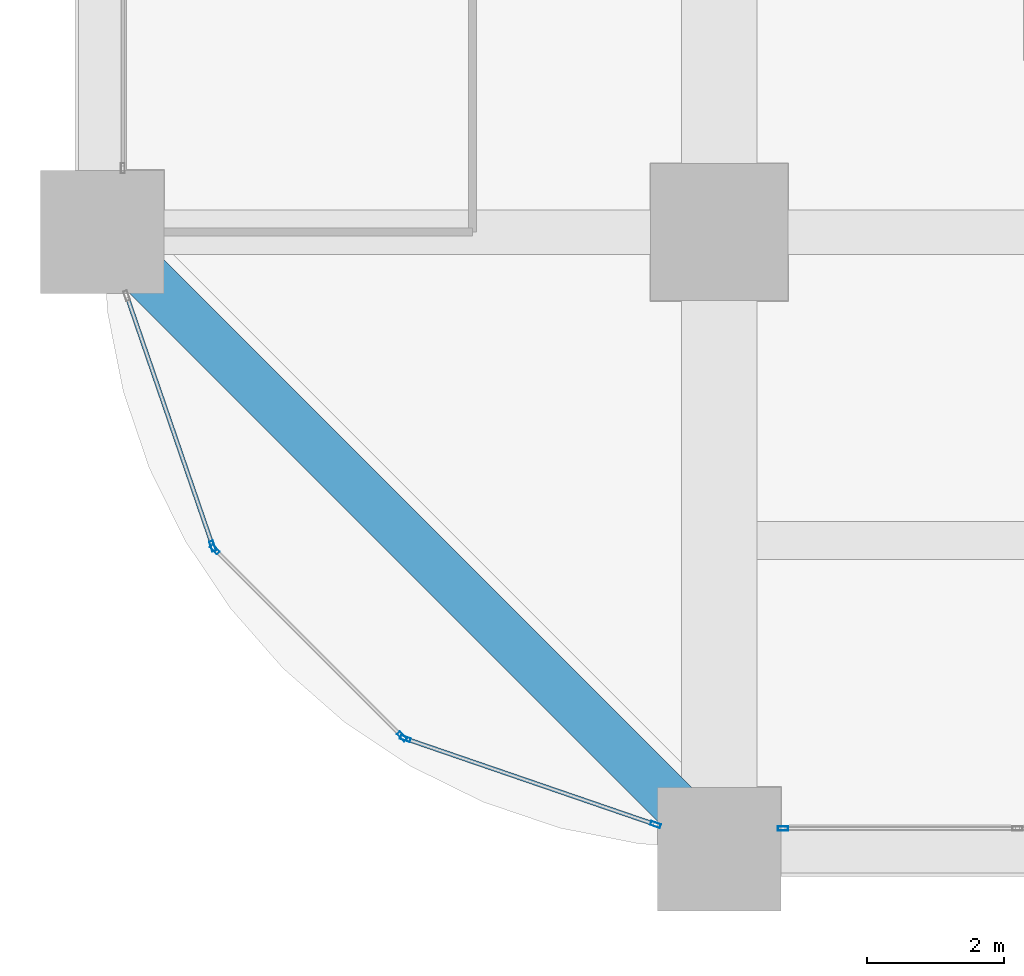
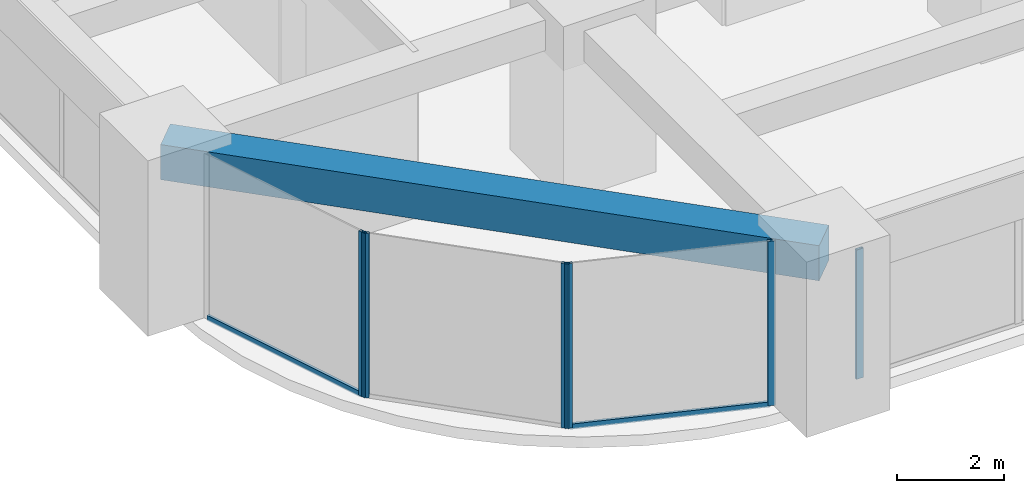
# One storey, part 2 of 41: 8 members, 1 beam, 4 elements without a shape of their own.
"""IFC4 building model written with IfcOpenShell, lengths in metres."""

from ifc_helpers import new_model, si_unit, direction, frame, origin, origin_2d, place, context, subcontext, project, spatial, rectangle, hollow_rectangle, extrude, material, material_profile, profile_set, type_object, element, aggregate, save


model = new_model("IFC4")

# Units and contexts
model_context = context("Model", 3, precision=1e-05, world=origin(), true_north=direction((0.0, 1.0)))
body_context = subcontext(model_context, "Body", "Model", "MODEL_VIEW")
ifc_project = project(units=[si_unit("LENGTHUNIT", "METRE"), si_unit("AREAUNIT", "SQUARE_METRE"), si_unit("VOLUMEUNIT", "CUBIC_METRE"), si_unit("PLANEANGLEUNIT", "RADIAN"), si_unit("MASSUNIT", "GRAM", prefix="KILO")], contexts=[model_context])

# Site, building, storey
site_placement = place(None, origin())
site = spatial("IfcSite", under=ifc_project, at=site_placement, CompositionType="ELEMENT")
building_placement = place(site_placement, origin())
building = spatial("IfcBuilding", under=site, at=building_placement, Name="Zorevar Civic Tower", CompositionType="ELEMENT")
storey_placement = place(building_placement, frame((0.0, 0.0, 113.0)))
storey = spatial("IfcBuildingStorey", under=building, at=storey_placement, Name="L27", CompositionType="ELEMENT", Elevation=113.0)

# Curtain wall, member
ifc_material_1 = material(Name="Dark grey solar-control glass in black aluminium frame", Category="aluminium")
curtain_wall_type = type_object("IfcCurtainWallType", Name="Curtain wall CW3 mid zone", PredefinedType="NOTDEFINED", material=ifc_material_1)
curtain_wall_1_placement = place(storey_placement, origin())
curtain_wall_1 = element("IfcCurtainWall", 1, at=curtain_wall_1_placement, inside=storey, type_object=curtain_wall_type, Name="CW3 L27", PredefinedType="NOTDEFINED")
ifc_material_2 = material(Name="Aluminium, black anodised", Category="aluminium")
ifc_material_profile_1 = material_profile(ifc_material_2, hollow_rectangle(XDim=0.06005859375, YDim=0.14990234375, WallThickness=0.00390625, at=origin_2d()), Name="AL 150x60x4")
ifc_profile_set_1 = profile_set([ifc_material_profile_1], Name="Aluminium, black anodised")
member_type_1 = type_object("IfcMemberType", Name="CW3 mullion AL 150x60x4", PredefinedType="MULLION", material=ifc_profile_set_1)
member_1_placement = place(storey_placement, frame((9.929931640625, 0.300048828125, 0.0), z_axis=(0.0, 0.0, 1.0), x_axis=(0.0, 1.0, 0.0)))
member_1 = element("IfcMember", 2, at=member_1_placement, type_object=member_type_1, Name="CW3 mullion 1", PredefinedType="MULLION", context=body_context, shape_type="SweptSolid", body=[
    extrude(hollow_rectangle(XDim=0.06005859375, YDim=0.14990234375, WallThickness=0.00390625, at=origin_2d()), origin(), (0.0, 0.0, 1.0), 2.949951171875),
])
aggregate(curtain_wall_1, [member_1])

curtain_wall_2_placement = place(storey_placement, origin())
curtain_wall_2 = element("IfcCurtainWall", 3, at=curtain_wall_2_placement, inside=storey, type_object=curtain_wall_type, Name="CW3 L27", PredefinedType="NOTDEFINED")
member_2_placement = place(storey_placement, frame((1.610595703125, 4.420654296875, 0.0), z_axis=(0.0, 0.0, 1.0), x_axis=(0.945755772794, 0.324878466857, 0.0)))
member_2 = element("IfcMember", 4, at=member_2_placement, type_object=member_type_1, Name="CW3 mullion 2", PredefinedType="MULLION", context=body_context, shape_type="SweptSolid", body=[
    extrude(hollow_rectangle(XDim=0.06005859375, YDim=0.14990234375, WallThickness=0.00390625, at=origin_2d()), origin(), (0.0, 0.0, 1.0), 3.75),
])

# Curtain wall, members
curtain_wall_3_placement = place(storey_placement, origin())
curtain_wall_3 = element("IfcCurtainWall", 5, at=curtain_wall_3_placement, inside=storey, type_object=curtain_wall_type, Name="CW3 L27", PredefinedType="NOTDEFINED")
member_3_placement = place(storey_placement, frame((1.6416015625, 4.37109375, 0.0), z_axis=(0.0, 0.0, 1.0), x_axis=(0.707106781187, 0.707106781187, 0.0)))
member_3 = element("IfcMember", 6, at=member_3_placement, type_object=member_type_1, Name="CW3 mullion 1", PredefinedType="MULLION", context=body_context, shape_type="SweptSolid", body=[
    extrude(hollow_rectangle(XDim=0.06005859375, YDim=0.14990234375, WallThickness=0.00390625, at=origin_2d()), origin(), (0.0, 0.0, 1.0), 3.75),
])
member_4_placement = place(storey_placement, frame((4.37109375, 1.6416015625, 0.0), z_axis=(0.0, 0.0, 1.0), x_axis=(0.707106781187, 0.707106781187, 0.0)))
member_4 = element("IfcMember", 7, at=member_4_placement, type_object=member_type_1, Name="CW3 mullion 2", PredefinedType="MULLION", context=body_context, shape_type="SweptSolid", body=[
    extrude(hollow_rectangle(XDim=0.06005859375, YDim=0.14990234375, WallThickness=0.00390625, at=origin_2d()), origin(), (0.0, 0.0, 1.0), 3.75),
])
aggregate(curtain_wall_3, [member_3, member_4])

curtain_wall_4_placement = place(storey_placement, origin())
curtain_wall_4 = element("IfcCurtainWall", 8, at=curtain_wall_4_placement, inside=storey, type_object=curtain_wall_type, Name="CW3 L27", PredefinedType="NOTDEFINED")
member_5_placement = place(storey_placement, frame((4.420654296875, 1.610595703125, 0.0), z_axis=(0.0, 0.0, 1.0), x_axis=(0.324878466857, 0.945755772794, 0.0)))
member_5 = element("IfcMember", 9, at=member_5_placement, type_object=member_type_1, Name="CW3 mullion 1", PredefinedType="MULLION", context=body_context, shape_type="SweptSolid", body=[
    extrude(hollow_rectangle(XDim=0.06005859375, YDim=0.14990234375, WallThickness=0.00390625, at=origin_2d()), origin(), (0.0, 0.0, 1.0), 3.75),
])
member_6_placement = place(storey_placement, frame((8.071533203125, 0.3564453125, 0.0), z_axis=(0.0, 0.0, 1.0), x_axis=(0.324878466857, 0.945755772794, 0.0)))
member_6 = element("IfcMember", 10, at=member_6_placement, type_object=member_type_1, Name="CW3 mullion 2", PredefinedType="MULLION", context=body_context, shape_type="SweptSolid", body=[
    extrude(hollow_rectangle(XDim=0.06005859375, YDim=0.14990234375, WallThickness=0.00390625, at=origin_2d()), origin(), (0.0, 0.0, 1.0), 3.75),
])

# Member
ifc_material_3 = material(Name="Aluminium, black anodised", Category="aluminium")
ifc_material_profile_2 = material_profile(ifc_material_3, hollow_rectangle(XDim=0.06005859375, YDim=0.1201171875, WallThickness=0.0029296875, at=origin_2d()), Name="AL 120x60x3")
ifc_profile_set_2 = profile_set([ifc_material_profile_2], Name="Aluminium, black anodised")
member_type_2 = type_object("IfcMemberType", Name="CW3 transom AL 120x60x3", PredefinedType="USERDEFINED", material=ifc_profile_set_2)
member_7_placement = place(storey_placement, frame((0.3662109375, 8.043212890625, 0.030029296875), z_axis=(0.324887643602, -0.945752620422, 0.0), x_axis=(0.945752620422, 0.324887643602, 0.0)))
member_7 = element("IfcMember", 11, at=member_7_placement, type_object=member_type_2, Name="CW3 sill transom", ObjectType="TRANSOM", PredefinedType="USERDEFINED", context=body_context, shape_type="SweptSolid", body=[
    extrude(hollow_rectangle(XDim=0.06005859375, YDim=0.1201171875, WallThickness=0.0029296875, at=origin_2d()), origin(), (0.0, 0.0, 1.0), 3.800048828125),
])

aggregate(curtain_wall_2, [member_2, member_7])

member_8_placement = place(storey_placement, frame((4.44921875, 1.600830078125, 0.030029296875), z_axis=(0.945752620422, -0.324887643602, 0.0), x_axis=(0.324887643602, 0.945752620422, 0.0)))
member_8 = element("IfcMember", 12, at=member_8_placement, type_object=member_type_2, Name="CW3 sill transom", ObjectType="TRANSOM", PredefinedType="USERDEFINED", context=body_context, shape_type="SweptSolid", body=[
    extrude(hollow_rectangle(XDim=0.06005859375, YDim=0.1201171875, WallThickness=0.0029296875, at=origin_2d()), origin(), (0.0, 0.0, 1.0), 3.800048828125),
])

aggregate(curtain_wall_4, [member_5, member_6, member_8])

# Beam
ifc_material_4 = material(Name="Concrete C50/60", Category="concrete")
ifc_material_profile_3 = material_profile(ifc_material_4, rectangle(XDim=0.699951171875, YDim=0.800048828125, at=origin_2d()), Name="RC 700x800")
ifc_profile_set_3 = profile_set([ifc_material_profile_3], Name="Concrete C50/60")
beam_type = type_object("IfcBeamType", Name="Edge beam RC 700x800", PredefinedType="SPANDREL", material=ifc_profile_set_3)
beam_placement = place(storey_placement, frame((0.0, 9.0, 3.35009765625), z_axis=(0.707106781187, -0.707106781187, 0.0), x_axis=(0.707106781187, 0.707106781187, 0.0)))
element("IfcBeam", 13, at=beam_placement, inside=storey, type_object=beam_type, Name="Corner edge beam L28", PredefinedType="SPANDREL", context=body_context, shape_type="SweptSolid", body=[
    extrude(rectangle(XDim=0.699951171875, YDim=0.800048828125, at=origin_2d()), origin(), (0.0, 0.0, 1.0), 12.72802734375),
])

save(model, "model.ifc")
